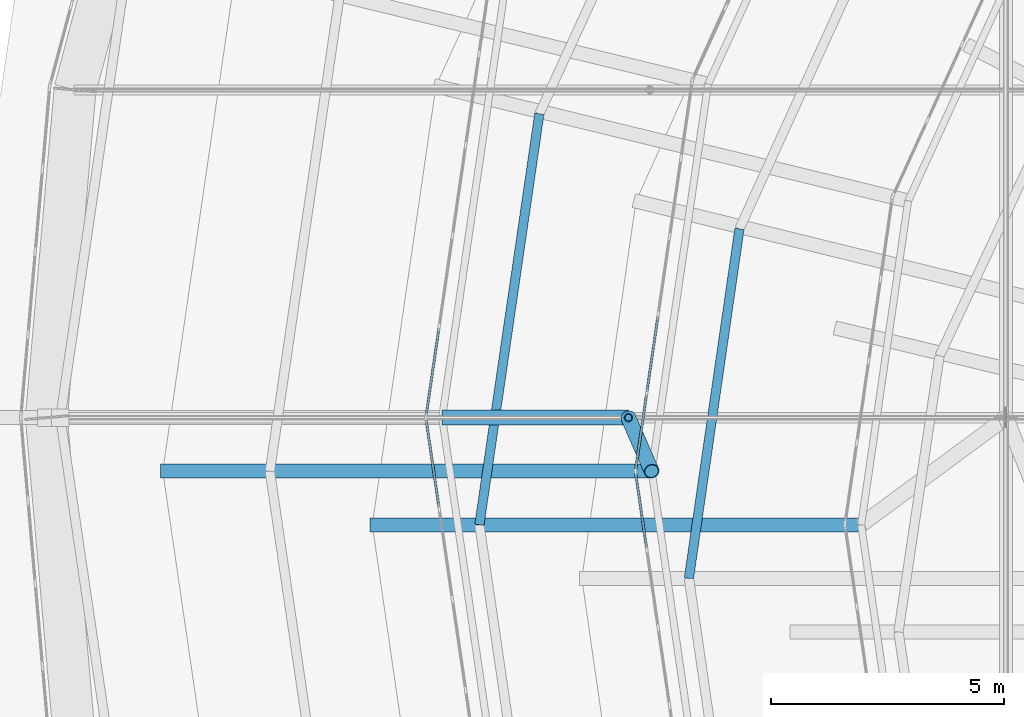
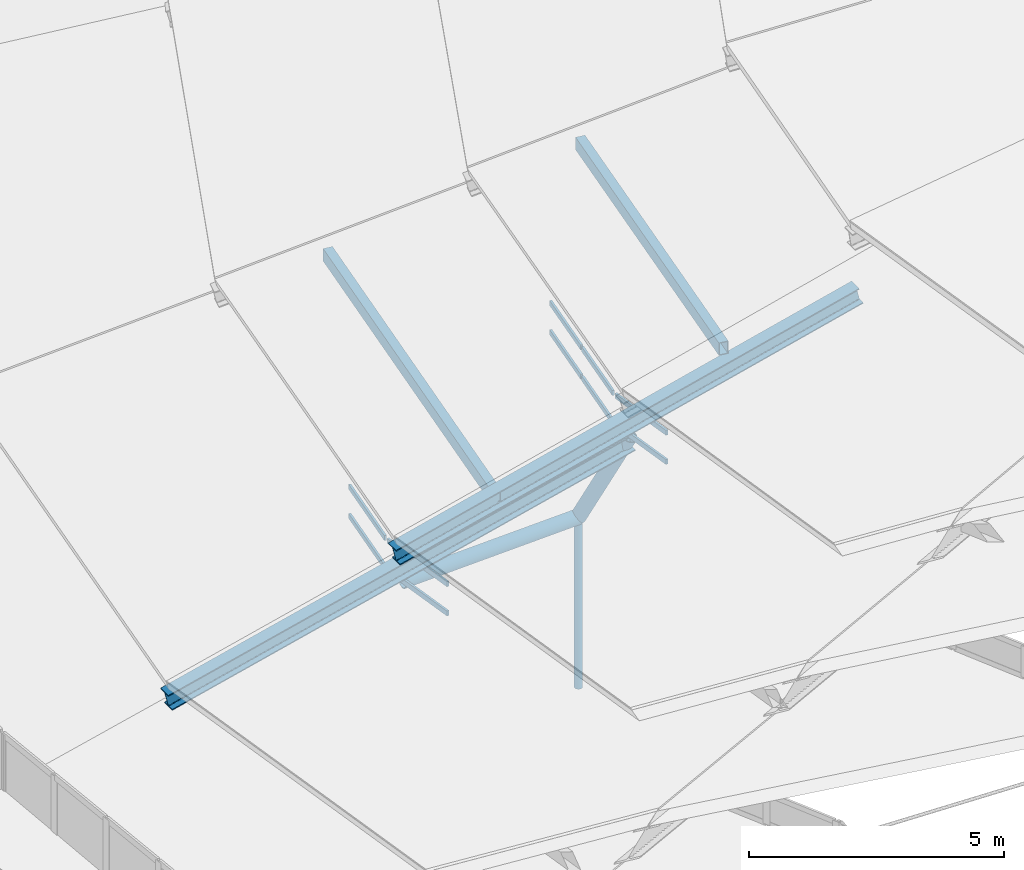
# One storey, part 33 of 173: 17 members, 4 elements without a shape of their own.
"""IFC4 building model written with IfcOpenShell, lengths in metres."""

from ifc_helpers import new_model, si_unit, direction, frame, origin, origin_2d, place, context, subcontext, project, spatial, rectangle, hollow_rectangle, hollow_circle, i_section, extrude, material, material_profile, profile_set, type_object, element, aggregate, save


model = new_model("IFC4")

# Units and contexts
model_context = context("Model", 3, precision=1e-05, world=origin(), true_north=direction((0.0, 1.0)))
body_context = subcontext(model_context, "Body", "Model", "MODEL_VIEW")
ifc_project = project(units=[si_unit("LENGTHUNIT", "METRE"), si_unit("AREAUNIT", "SQUARE_METRE"), si_unit("VOLUMEUNIT", "CUBIC_METRE"), si_unit("PLANEANGLEUNIT", "RADIAN"), si_unit("MASSUNIT", "GRAM", prefix="KILO")], contexts=[model_context])

# Site, building, storey
site_placement = place(None, origin())
site = spatial("IfcSite", under=ifc_project, at=site_placement, CompositionType="ELEMENT")
building_placement = place(site_placement, origin())
building = spatial("IfcBuilding", under=site, at=building_placement, Name="Glasvene Arena", CompositionType="ELEMENT")
storey_placement = place(building_placement, frame((0.0, 0.0, 28.800048828125)))
storey = spatial("IfcBuildingStorey", under=building, at=storey_placement, Name="RF", CompositionType="ELEMENT", Elevation=28.800048828125)

# Curtain wall, members
ifc_material_1 = material(Name="Low-emissivity laminated double glazing", Category="glass")
curtain_wall_type_1 = type_object("IfcCurtainWallType", Name="CW-PET1-986x75", PredefinedType="USERDEFINED", material=ifc_material_1)
curtain_wall_1_placement = place(storey_placement, frame((51.575927734375, 82.757568359375, 0.0)))
curtain_wall_1 = element("IfcCurtainWall", 1, at=curtain_wall_1_placement, inside=storey, type_object=curtain_wall_type_1, Name="Petal ring 1-2 clerestory curtain wall 12", ObjectType="CURTAIN WALL", PredefinedType="USERDEFINED")
ifc_material_2 = material(Name="Anodised architectural aluminium", Category="aluminium")
ifc_material_profile_1 = material_profile(ifc_material_2, rectangle(XDim=0.050048828125, YDim=0.1201171875, at=origin_2d()), Name="ALU TRANSOM 50x120")
ifc_profile_set_1 = profile_set([ifc_material_profile_1], Name="Anodised architectural aluminium")
member_type_1 = type_object("IfcMemberType", Name="CW-TRN-120", PredefinedType="USERDEFINED", material=ifc_profile_set_1)
member_1_placement = place(storey_placement, frame((50.431640625, 74.9267578125, 2.60498046875), z_axis=(-0.144645532011, -0.989483537038, 0.0), x_axis=(0.989483537038, -0.144645532011, 0.0)))
member_1 = element("IfcMember", 2, at=member_1_placement, type_object=member_type_1, Name="CW-081 transom 5.1", ObjectType="TRANSOM", PredefinedType="USERDEFINED", context=body_context, shape_type="SweptSolid", body=[
    extrude(rectangle(XDim=0.050048828125, YDim=0.1201171875, at=origin_2d()), origin(), (0.0, 0.0, 1.0), 1.897216796875),
])
member_2_placement = place(storey_placement, frame((50.431640625, 74.9267578125, 3.304931640625), z_axis=(-0.144645532011, -0.989483537038, 0.0), x_axis=(0.989483537038, -0.144645532011, 0.0)))
member_2 = element("IfcMember", 3, at=member_2_placement, type_object=member_type_1, Name="CW-081 transom 5.2", ObjectType="TRANSOM", PredefinedType="USERDEFINED", context=body_context, shape_type="SweptSolid", body=[
    extrude(rectangle(XDim=0.050048828125, YDim=0.1201171875, at=origin_2d()), origin(), (0.0, 0.0, 1.0), 1.897216796875),
])
aggregate(curtain_wall_1, [member_1, member_2])

curtain_wall_2_placement = place(storey_placement, frame((50.14990234375, 73.0, 0.0)))
curtain_wall_2 = element("IfcCurtainWall", 4, at=curtain_wall_2_placement, inside=storey, type_object=curtain_wall_type_1, Name="Petal ring 1-2 clerestory curtain wall 13", ObjectType="CURTAIN WALL", PredefinedType="USERDEFINED")
member_3_placement = place(storey_placement, frame((50.1572265625, 72.950439453125, 2.60498046875), z_axis=(0.144645532011, -0.989483537038, 0.0), x_axis=(0.989483537038, 0.144645532011, 0.0)))
member_3 = element("IfcMember", 5, at=member_3_placement, type_object=member_type_1, Name="CW-081 transom 1.1", ObjectType="TRANSOM", PredefinedType="USERDEFINED", context=body_context, shape_type="SweptSolid", body=[
    extrude(rectangle(XDim=0.050048828125, YDim=0.1201171875, at=origin_2d()), origin(), (0.0, 0.0, 1.0), 1.897216796875),
])
member_4_placement = place(storey_placement, frame((50.1572265625, 72.950439453125, 3.304931640625), z_axis=(0.144645532011, -0.989483537038, 0.0), x_axis=(0.989483537038, 0.144645532011, 0.0)))
member_4 = element("IfcMember", 6, at=member_4_placement, type_object=member_type_1, Name="CW-081 transom 1.2", ObjectType="TRANSOM", PredefinedType="USERDEFINED", context=body_context, shape_type="SweptSolid", body=[
    extrude(rectangle(XDim=0.050048828125, YDim=0.1201171875, at=origin_2d()), origin(), (0.0, 0.0, 1.0), 1.897216796875),
])
aggregate(curtain_wall_2, [member_3, member_4])

curtain_wall_type_2 = type_object("IfcCurtainWallType", Name="CW-PET2-849x75", PredefinedType="USERDEFINED", material=ifc_material_1)
curtain_wall_3_placement = place(storey_placement, frame((55.873291015625, 80.248779296875, 0.0)))
curtain_wall_3 = element("IfcCurtainWall", 7, at=curtain_wall_3_placement, inside=storey, type_object=curtain_wall_type_2, Name="Petal ring 2-3 clerestory curtain wall 12", ObjectType="CURTAIN WALL", PredefinedType="USERDEFINED")
member_5_placement = place(storey_placement, frame((55.1357421875, 75.184814453125, 5.204833984375), z_axis=(-0.144179933735, -0.989551487649, 0.0), x_axis=(0.989551487649, -0.144179933735, 0.0)))
member_5 = element("IfcMember", 8, at=member_5_placement, type_object=member_type_1, Name="CW-087 transom 4.1", ObjectType="TRANSOM", PredefinedType="USERDEFINED", context=body_context, shape_type="SweptSolid", body=[
    extrude(rectangle(XDim=0.050048828125, YDim=0.1201171875, at=origin_2d()), origin(), (0.0, 0.0, 1.0), 1.647705078125),
])
member_6_placement = place(storey_placement, frame((55.1357421875, 75.184814453125, 5.905029296875), z_axis=(-0.144179933735, -0.989551487649, 0.0), x_axis=(0.989551487649, -0.144179933735, 0.0)))
member_6 = element("IfcMember", 9, at=member_6_placement, type_object=member_type_1, Name="CW-087 transom 4.2", ObjectType="TRANSOM", PredefinedType="USERDEFINED", context=body_context, shape_type="SweptSolid", body=[
    extrude(rectangle(XDim=0.050048828125, YDim=0.1201171875, at=origin_2d()), origin(), (0.0, 0.0, 1.0), 1.647705078125),
])
member_7_placement = place(storey_placement, frame((54.89111328125, 73.5048828125, 5.204833984375), z_axis=(-0.144159545441, -0.989554458056, 0.0), x_axis=(0.989554458056, -0.144159545441, 0.0)))
member_7 = element("IfcMember", 10, at=member_7_placement, type_object=member_type_1, Name="CW-087 transom 5.1", ObjectType="TRANSOM", PredefinedType="USERDEFINED", context=body_context, shape_type="SweptSolid", body=[
    extrude(rectangle(XDim=0.050048828125, YDim=0.1201171875, at=origin_2d()), origin(), (0.0, 0.0, 1.0), 1.622314453125),
])
member_8_placement = place(storey_placement, frame((54.89111328125, 73.5048828125, 5.905029296875), z_axis=(-0.144159545441, -0.989554458056, 0.0), x_axis=(0.989554458056, -0.144159545441, 0.0)))
member_8 = element("IfcMember", 11, at=member_8_placement, type_object=member_type_1, Name="CW-087 transom 5.2", ObjectType="TRANSOM", PredefinedType="USERDEFINED", context=body_context, shape_type="SweptSolid", body=[
    extrude(rectangle(XDim=0.050048828125, YDim=0.1201171875, at=origin_2d()), origin(), (0.0, 0.0, 1.0), 1.622314453125),
])
aggregate(curtain_wall_3, [member_5, member_6, member_7, member_8])

curtain_wall_4_placement = place(storey_placement, frame((54.64990234375, 71.85009765625, 0.0)))
curtain_wall_4 = element("IfcCurtainWall", 12, at=curtain_wall_4_placement, inside=storey, type_object=curtain_wall_type_2, Name="Petal ring 2-3 clerestory curtain wall 13", ObjectType="CURTAIN WALL", PredefinedType="USERDEFINED")
member_9_placement = place(storey_placement, frame((54.6572265625, 71.800537109375, 5.204833984375), z_axis=(0.144159545441, -0.989554458056, 0.0), x_axis=(0.989554458056, 0.144159545441, 0.0)))
member_9 = element("IfcMember", 13, at=member_9_placement, type_object=member_type_1, Name="CW-087 transom 1.1", ObjectType="TRANSOM", PredefinedType="USERDEFINED", context=body_context, shape_type="SweptSolid", body=[
    extrude(rectangle(XDim=0.050048828125, YDim=0.1201171875, at=origin_2d()), origin(), (0.0, 0.0, 1.0), 1.622314453125),
])
member_10_placement = place(storey_placement, frame((54.6572265625, 71.800537109375, 5.905029296875), z_axis=(0.144159545441, -0.989554458056, 0.0), x_axis=(0.989554458056, 0.144159545441, 0.0)))
member_10 = element("IfcMember", 14, at=member_10_placement, type_object=member_type_1, Name="CW-087 transom 1.2", ObjectType="TRANSOM", PredefinedType="USERDEFINED", context=body_context, shape_type="SweptSolid", body=[
    extrude(rectangle(XDim=0.050048828125, YDim=0.1201171875, at=origin_2d()), origin(), (0.0, 0.0, 1.0), 1.622314453125),
])
aggregate(curtain_wall_4, [member_9, member_10])

# Members
ifc_material_3 = material(Name="Steel S355J2", Category="steel")
ifc_material_profile_2 = material_profile(ifc_material_3, i_section(OverallWidth=0.300048828125, OverallDepth=0.39990234375, WebThickness=0.013427734375, FlangeThickness=0.02392578125, FilletRadius=0.027099609375, at=origin_2d()), Name="HEB 400")
ifc_profile_set_2 = profile_set([ifc_material_profile_2], Name="Steel S355J2")
member_type_2 = type_object("IfcMemberType", Name="MB-CHORD-HEB400", PredefinedType="CHORD", material=ifc_profile_set_2)
member_11_placement = place(storey_placement, frame((44.5, 71.85009765625, 2.14990234375), z_axis=(0.971752667601, 0.0, 0.236001595356), x_axis=(0.0, 1.0, 0.0)))
element("IfcMember", 15, at=member_11_placement, inside=storey, type_object=member_type_2, Name="Petal ring 2 radial rib 13", PredefinedType="CHORD", context=body_context, shape_type="SweptSolid", body=[
    extrude(i_section(OverallWidth=0.300048828125, OverallDepth=0.39990234375, WebThickness=0.013427734375, FlangeThickness=0.02392578125, FilletRadius=0.027099609375, at=origin_2d()), origin(), (0.0, 0.0, 1.0), 10.80517578125),
])
member_12_placement = place(storey_placement, frame((49.0, 70.699951171875, 4.75), z_axis=(0.970687021499, 0.0, 0.240347053849), x_axis=(0.0, 1.0, 0.0)))
element("IfcMember", 16, at=member_12_placement, inside=storey, type_object=member_type_2, Name="Petal ring 3 radial rib 13", PredefinedType="CHORD", context=body_context, shape_type="SweptSolid", body=[
    extrude(i_section(OverallWidth=0.300048828125, OverallDepth=0.39990234375, WebThickness=0.013427734375, FlangeThickness=0.02392578125, FilletRadius=0.027099609375, at=origin_2d()), origin(), (0.0, 0.0, 1.0), 10.817138671875),
])
ifc_material_profile_3 = material_profile(ifc_material_3, hollow_circle(Radius=0.161865234375, WallThickness=0.01611328125, at=origin_2d()), Name="CHS 323.9x16.0")
ifc_profile_set_3 = profile_set([ifc_material_profile_3], Name="Steel S355J2")
member_type_3 = type_object("IfcMemberType", Name="MB-POST-CHS324", PredefinedType="BRACE", material=ifc_profile_set_3)
member_13_placement = place(storey_placement, frame((54.5, 73.0, 2.328857421875), z_axis=(-0.999325652678, 0.0, -0.036718386408), x_axis=(0.0, -1.0, 0.0)))
element("IfcMember", 17, at=member_13_placement, inside=storey, type_object=member_type_3, Name="Petal ring 1 ridge support post 13", PredefinedType="BRACE", context=body_context, shape_type="SweptSolid", body=[
    extrude(hollow_circle(Radius=0.161865234375, WallThickness=0.01611328125, at=origin_2d()), origin(), (0.0, 0.0, 1.0), 4.002685546875),
])
member_14_placement = place(storey_placement, frame((54.5, 73.0, 2.328857421875), z_axis=(0.181487334502, -0.41738542261, 0.890422234902), x_axis=(0.917057673974, 0.398754589448, 0.0)))
element("IfcMember", 18, at=member_14_placement, inside=storey, type_object=member_type_3, Name="Petal ring 2 ridge support post 13", PredefinedType="BRACE", context=body_context, shape_type="SweptSolid", body=[
    extrude(hollow_circle(Radius=0.161865234375, WallThickness=0.01611328125, at=origin_2d()), origin(), (0.0, 0.0, 1.0), 2.755126953125),
])
ifc_material_profile_4 = material_profile(ifc_material_3, hollow_rectangle(XDim=0.199951171875, YDim=0.300048828125, WallThickness=0.012451171875, at=origin_2d()), Name="RHS 300x200x12.5")
ifc_profile_set_4 = profile_set([ifc_material_profile_4], Name="Steel S355J2")
member_type_4 = type_object("IfcMemberType", Name="MB-PURLIN-RHS300", PredefinedType="PURLIN", material=ifc_profile_set_4)
member_15_placement = place(storey_placement, frame((52.587890625, 79.525634765625, 5.33935546875), z_axis=(-0.144390650725, -0.989520762785, 0.0), x_axis=(0.989520762785, -0.144390650725, 0.0)))
element("IfcMember", 19, at=member_15_placement, inside=storey, type_object=member_type_4, Name="Petal ring 3 outer purlin 12", PredefinedType="PURLIN", context=body_context, shape_type="SweptSolid", body=[
    extrude(hollow_rectangle(XDim=0.199951171875, YDim=0.300048828125, WallThickness=0.012451171875, at=origin_2d()), origin(), (0.0, 0.0, 1.0), 8.919189453125),
])
member_16_placement = place(storey_placement, frame((56.88525390625, 77.055908203125, 8.00048828125), z_axis=(-0.143093204238, -0.989709217347, 0.0), x_axis=(0.989709217347, -0.143093204238, 0.0)))
element("IfcMember", 20, at=member_16_placement, inside=storey, type_object=member_type_4, Name="Petal ring 4 outer purlin 12", PredefinedType="PURLIN", context=body_context, shape_type="SweptSolid", body=[
    extrude(hollow_rectangle(XDim=0.199951171875, YDim=0.300048828125, WallThickness=0.012451171875, at=origin_2d()), origin(), (0.0, 0.0, 1.0), 7.583984375),
])
ifc_material_profile_5 = material_profile(ifc_material_3, hollow_circle(Radius=0.084228515625, WallThickness=0.008056640625, at=origin_2d()), Name="CHS 168.3x8.0")
ifc_profile_set_5 = profile_set([ifc_material_profile_5], Name="Steel S355J2")
member_type_5 = type_object("IfcMemberType", Name="MB-WEB-CHS168", PredefinedType="BRACE", material=ifc_profile_set_5)
member_17_placement = place(storey_placement, frame((54.5, 73.0, -1.753173828125), z_axis=(0.0, 0.0, 1.0), x_axis=(1.0, 0.0, 0.0)))
element("IfcMember", 21, at=member_17_placement, inside=storey, type_object=member_type_5, Name="Cable-truss vertical strut EW04-01", PredefinedType="BRACE", context=body_context, shape_type="SweptSolid", body=[
    extrude(hollow_circle(Radius=0.084228515625, WallThickness=0.008056640625, at=origin_2d()), origin(), (0.0, 0.0, 1.0), 4.08203125),
])

save(model, "model.ifc")
